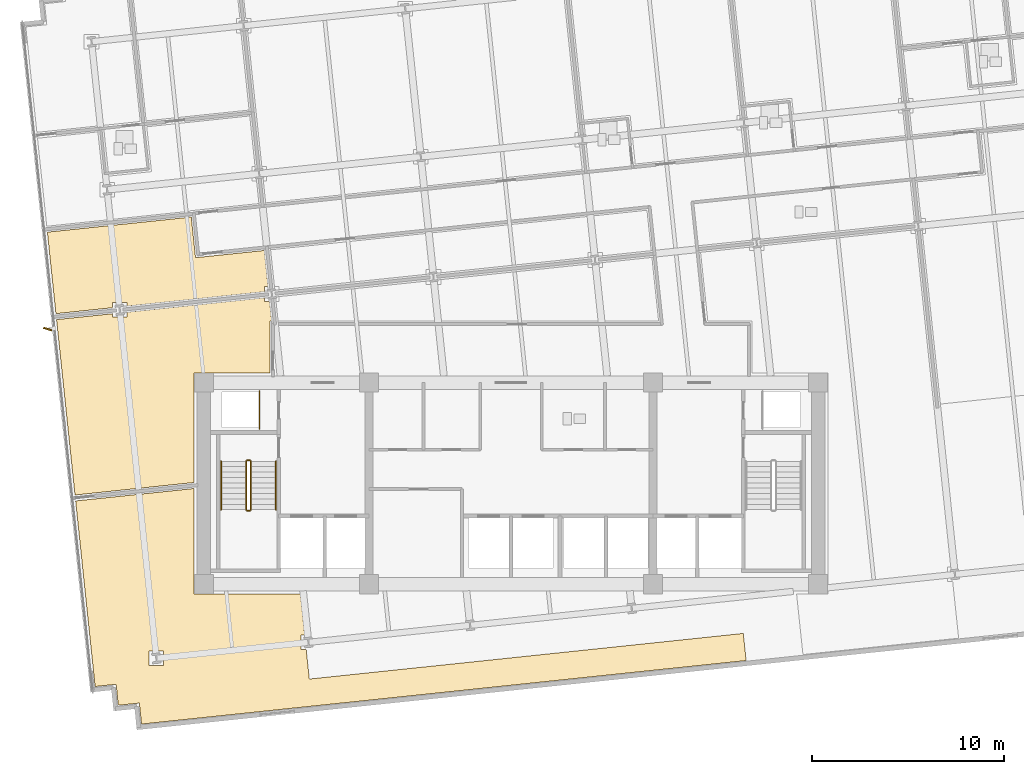
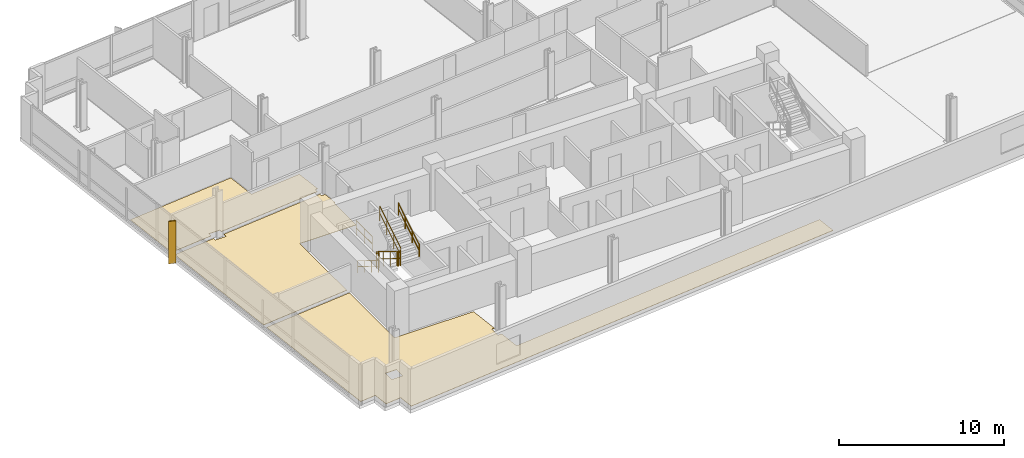
# One storey, part 14 of 18: 7 railings, 3 coverings, 1 shading device.
"""IFC4 building model written with IfcOpenShell, lengths in metres."""

from ifc_helpers import new_model, si_unit, direction, frame, origin, origin_2d, place, context, subcontext, project, spatial, polyline, rectangle, circle, outline, extrude, material, layer, layer_set, type_object, element, save


model = new_model("IFC4")

# Units and contexts
model_context = context("Model", 3, precision=1e-05, world=origin(), true_north=direction((0.0, 1.0)))
body_context = subcontext(model_context, "Body", "Model", "MODEL_VIEW")
ifc_project = project(units=[si_unit("LENGTHUNIT", "METRE"), si_unit("AREAUNIT", "SQUARE_METRE"), si_unit("VOLUMEUNIT", "CUBIC_METRE"), si_unit("PLANEANGLEUNIT", "RADIAN"), si_unit("MASSUNIT", "GRAM", prefix="KILO")], contexts=[model_context])

# Site, building, storey
site_placement = place(None, origin())
site = spatial("IfcSite", under=ifc_project, at=site_placement, CompositionType="ELEMENT")
building_placement = place(site_placement, origin())
building = spatial("IfcBuilding", under=site, at=building_placement, Name="Solmavex Isthmus Hotel", CompositionType="ELEMENT")
storey_placement = place(building_placement, frame((0.0, 0.0, 127.050048828125)))
storey = spatial("IfcBuildingStorey", under=building, at=storey_placement, Name="L34", CompositionType="ELEMENT", Elevation=127.050048828125)

# Coverings
ifc_material_1 = material(Name="Travertine natural stone", Category="masonry")
ifc_layer_1 = layer(ifc_material_1, 0.02490234375)
ifc_layer_set_1 = layer_set([ifc_layer_1], Name="Travertine natural stone")
covering_type = type_object("IfcCoveringType", Name="COV-FLOR-STN", PredefinedType="FLOORING", material=ifc_layer_set_1)
covering_1_placement = place(storey_placement, origin())
element("IfcCovering", 1, at=covering_1_placement, inside=storey, type_object=covering_type, Name="Stone and Timber Floor Finish L34-FL07", PredefinedType="FLOORING", context=body_context, shape_type="SweptSolid", body=[
    extrude(outline(polyline([(-12.8388671875, 2.234619140625), (-12.8388671875, 2.49853515625), (-12.654541015625, 2.49853515625), (-12.852783203125, 4.384765625), (-16.43310546875, 4.008544921875), (-16.65576171875, 6.126953125), (-24.15234375, 5.3388671875), (-23.7060546875, 1.09228515625), (-20.76318359375, 1.401611328125), (-20.76318359375, 1.665771484375), (-20.003173828125, 1.665771484375), (-20.003173828125, 1.4814453125), (-12.8388671875, 2.234619140625)])), origin(), (0.0, 0.0, 1.0), 0.02490234375),
])
covering_2_placement = place(storey_placement, origin())
element("IfcCovering", 2, at=covering_2_placement, inside=storey, type_object=covering_type, Name="Stone and Timber Floor Finish L34-FL10", PredefinedType="FLOORING", context=body_context, shape_type="SweptSolid", body=[
    extrude(outline(polyline([(-20.003173828125, 1.169921875), (-20.003173828125, 0.90576171875), (-20.76318359375, 0.90576171875), (-20.76318359375, 1.08984375), (-23.673583984375, 0.783935546875), (-23.130615234375, -4.382568359375), (-22.713134765625, -8.355712890625), (-16.5048828125, -7.703125), (-16.5048828125, -1.9951171875), (-12.554931640625, -1.9951171875), (-12.554931640625, 0.705078125), (-12.466064453125, 0.705078125), (-12.57470703125, 1.738525390625), (-12.8388671875, 1.738525390625), (-12.8388671875, 1.9228515625), (-20.003173828125, 1.169921875)])), origin(), (0.0, 0.0, 1.0), 0.02490234375),
])
covering_3_placement = place(storey_placement, origin())
element("IfcCovering", 3, at=covering_3_placement, inside=storey, type_object=covering_type, Name="Stone and Timber Floor Finish L34-FL11", PredefinedType="FLOORING", context=body_context, shape_type="SweptSolid", body=[
    extrude(outline(polyline([(-10.6669921875, -16.411376953125), (-10.93115234375, -16.411376953125), (-10.93115234375, -15.6513671875), (-10.746826171875, -15.6513671875), (-10.972412109375, -13.5048828125), (-16.5048828125, -13.5048828125), (-16.5048828125, -8.014892578125), (-22.6806640625, -8.663818359375), (-21.7509765625, -17.51025390625), (-21.66455078125, -18.33056640625), (-20.57080078125, -18.2158203125), (-20.50537109375, -18.837158203125), (-20.455810546875, -19.3095703125), (-19.36181640625, -19.194580078125), (-19.246826171875, -20.28857421875), (-18.42626953125, -20.202392578125), (-10.20361328125, -19.338134765625), (12.249755859375, -16.978271484375), (12.101318359375, -15.56591796875), (-10.506103515625, -17.942138671875), (-10.6669921875, -16.411376953125)]), holes=[polyline([(-18.85546875, -17.244384765625), (-18.85546875, -16.484375), (-18.095458984375, -16.484375), (-18.095458984375, -17.244384765625), (-18.85546875, -17.244384765625)])]), origin(), (0.0, 0.0, 1.0), 0.02490234375),
])

# Railings
ifc_material_2 = material(Name="Clear low-E laminated glass", Category="glass")
ifc_layer_2 = layer(ifc_material_2, 0.080078125)
ifc_layer_set_2 = layer_set([ifc_layer_2], Name="Clear low-E laminated glass")
railing_type_1 = type_object("IfcRailingType", Name="RAIL-ATRIUM-1120", PredefinedType="BALUSTRADE", material=ifc_layer_set_2)
railing_1_placement = place(storey_placement, frame((-13.10009765625, -4.89990234375, 0.0)))
element("IfcRailing", 4, at=railing_1_placement, inside=storey, type_object=railing_type_1, Name="Guardrail Balustrade L34-RSW-01", PredefinedType="BALUSTRADE", context=body_context, shape_type="SweptSolid", body=[
    extrude(circle(Radius=0.02392578125, at=origin_2d()), frame((0.0, 0.0, 1.1259765625), z_axis=(0.0, 1.0, 0.0), x_axis=(-1.0, 0.0, 0.0)), (0.0, 0.0, 1.0), 1.949951171875),
    extrude(circle(Radius=0.02392578125, at=origin_2d()), frame((0.0, 0.0, 0.574951171875), z_axis=(0.0, 1.0, 0.0), x_axis=(-1.0, 0.0, 0.0)), (0.0, 0.0, 1.0), 1.949951171875),
    extrude(circle(Radius=0.02099609375, at=origin_2d()), origin(), (0.0, 0.0, 1.0), 1.101806640625),
    extrude(circle(Radius=0.02099609375, at=origin_2d()), frame((0.0, 0.97509765625, 0.0)), (0.0, 0.0, 1.0), 1.101806640625),
    extrude(circle(Radius=0.02099609375, at=origin_2d()), frame((0.0, 1.949951171875, 0.0)), (0.0, 0.0, 1.0), 1.101806640625),
])
ifc_material_3 = material(Name="Stainless steel 316", Category="steel")
ifc_layer_3 = layer(ifc_material_3, 0.06005859375)
ifc_layer_set_3 = layer_set([ifc_layer_3], Name="Stainless steel 316")
railing_type_2 = type_object("IfcRailingType", Name="RAIL-STAIR-GD", PredefinedType="GUARDRAIL", material=ifc_layer_set_3)
railing_2_placement = place(storey_placement, frame((-13.800048828125, -6.60009765625, 0.17236328125)))
element("IfcRailing", 5, at=railing_2_placement, inside=storey, type_object=railing_type_2, Name="L34 ST-1 stair guard 1", PredefinedType="GUARDRAIL", context=body_context, shape_type="SweptSolid", body=[
    extrude(circle(Radius=0.02392578125, at=origin_2d()), frame((0.0, 0.0, 1.09619140625), z_axis=(0.0, -0.851400495292, 0.524516154772), x_axis=(1.0, 0.0, 0.0)), (0.0, 0.0, 1.0), 2.9599609375),
    extrude(circle(Radius=0.02392578125, at=origin_2d()), frame((0.0, 0.0, 0.56005859375), z_axis=(0.0, -0.851400495292, 0.524516154772), x_axis=(1.0, 0.0, 0.0)), (0.0, 0.0, 1.0), 2.9599609375),
    extrude(circle(Radius=0.02099609375, at=origin_2d()), origin(), (0.0, 0.0, 1.0), 1.072021484375),
    extrude(circle(Radius=0.02099609375, at=origin_2d()), frame((0.0, -0.840087890625, 0.517578125)), (0.0, 0.0, 1.0), 1.072021484375),
    extrude(circle(Radius=0.02099609375, at=origin_2d()), frame((0.0, -1.679931640625, 1.034912109375)), (0.0, 0.0, 1.0), 1.072021484375),
    extrude(circle(Radius=0.02099609375, at=origin_2d()), frame((0.0, -2.52001953125, 1.552490234375)), (0.0, 0.0, 1.0), 1.072021484375),
])
railing_3_placement = place(storey_placement, frame((-13.75, -9.169921875, 1.724853515625)))
element("IfcRailing", 6, at=railing_3_placement, inside=storey, type_object=railing_type_2, Name="L34 ST-1 stair guard 2", PredefinedType="GUARDRAIL", context=body_context, shape_type="SweptSolid", body=[
    extrude(circle(Radius=0.02392578125, at=origin_2d()), frame((0.0, 0.0, 1.09619140625), z_axis=(1.0, 0.0, 0.0), x_axis=(0.0, 1.0, 0.0)), (0.0, 0.0, 1.0), 0.14990234375),
    extrude(circle(Radius=0.02392578125, at=origin_2d()), frame((0.0, 0.0, 0.56005859375), z_axis=(1.0, 0.0, 0.0), x_axis=(0.0, 1.0, 0.0)), (0.0, 0.0, 1.0), 0.14990234375),
    extrude(circle(Radius=0.02099609375, at=origin_2d()), origin(), (0.0, 0.0, 1.0), 1.072021484375),
    extrude(circle(Radius=0.02099609375, at=origin_2d()), frame((0.14990234375, 0.0, 0.0)), (0.0, 0.0, 1.0), 1.072021484375),
])
railing_4_placement = place(storey_placement, frame((-13.550048828125, -9.1201171875, 1.8974609375)))
element("IfcRailing", 7, at=railing_4_placement, inside=storey, type_object=railing_type_2, Name="L34 ST-1 stair guard 3", PredefinedType="GUARDRAIL", context=body_context, shape_type="SweptSolid", body=[
    extrude(circle(Radius=0.02392578125, at=origin_2d()), frame((0.0, 0.0, 1.09619140625), z_axis=(0.0, 0.851400495292, 0.524516154772), x_axis=(-1.0, 0.0, 0.0)), (0.0, 0.0, 1.0), 2.9599609375),
    extrude(circle(Radius=0.02392578125, at=origin_2d()), frame((0.0, 0.0, 0.56005859375), z_axis=(0.0, 0.851400495292, 0.524516154772), x_axis=(-1.0, 0.0, 0.0)), (0.0, 0.0, 1.0), 2.9599609375),
    extrude(circle(Radius=0.02099609375, at=origin_2d()), origin(), (0.0, 0.0, 1.0), 1.072021484375),
    extrude(circle(Radius=0.02099609375, at=origin_2d()), frame((0.0, 0.840087890625, 0.517578125)), (0.0, 0.0, 1.0), 1.072021484375),
    extrude(circle(Radius=0.02099609375, at=origin_2d()), frame((0.0, 1.679931640625, 1.034912109375)), (0.0, 0.0, 1.0), 1.072021484375),
    extrude(circle(Radius=0.02099609375, at=origin_2d()), frame((0.0, 2.52001953125, 1.552490234375)), (0.0, 0.0, 1.0), 1.072021484375),
])
railing_5_placement = place(storey_placement, frame((-13.75, -6.550048828125, 0.0)))
element("IfcRailing", 8, at=railing_5_placement, inside=storey, type_object=railing_type_2, Name="L34 ST-1 stair guard 4", PredefinedType="GUARDRAIL", context=body_context, shape_type="SweptSolid", body=[
    extrude(circle(Radius=0.02392578125, at=origin_2d()), frame((0.0, 0.0, 1.09619140625), z_axis=(1.0, 0.0, 0.0), x_axis=(0.0, 1.0, 0.0)), (0.0, 0.0, 1.0), 0.14990234375),
    extrude(circle(Radius=0.02392578125, at=origin_2d()), frame((0.0, 0.0, 0.56005859375), z_axis=(1.0, 0.0, 0.0), x_axis=(0.0, 1.0, 0.0)), (0.0, 0.0, 1.0), 0.14990234375),
    extrude(circle(Radius=0.02099609375, at=origin_2d()), origin(), (0.0, 0.0, 1.0), 1.072021484375),
    extrude(circle(Radius=0.02099609375, at=origin_2d()), frame((0.14990234375, 0.0, 0.0)), (0.0, 0.0, 1.0), 1.072021484375),
])
ifc_layer_4 = layer(ifc_material_3, 0.050048828125)
ifc_layer_set_4 = layer_set([ifc_layer_4], Name="Stainless steel 316")
railing_type_3 = type_object("IfcRailingType", Name="RAIL-STAIR-HR", PredefinedType="HANDRAIL", material=ifc_layer_set_4)
railing_6_placement = place(storey_placement, frame((-15.10009765625, -6.60009765625, 0.17236328125)))
element("IfcRailing", 9, at=railing_6_placement, inside=storey, type_object=railing_type_3, Name="L34 ST-1 stair handrail 1", PredefinedType="HANDRAIL", context=body_context, shape_type="SweptSolid", body=[
    extrude(circle(Radius=0.02392578125, at=origin_2d()), frame((0.0, 0.0, 0.8759765625), z_axis=(0.0, -0.851400495292, 0.524516154772), x_axis=(1.0, 0.0, 0.0)), (0.0, 0.0, 1.0), 2.9599609375),
    extrude(circle(Radius=0.02392578125, at=origin_2d()), frame((0.0, 0.0, 0.449951171875), z_axis=(0.0, -0.851400495292, 0.524516154772), x_axis=(1.0, 0.0, 0.0)), (0.0, 0.0, 1.0), 2.9599609375),
    extrude(circle(Radius=0.02099609375, at=origin_2d()), origin(), (0.0, 0.0, 1.0), 0.851806640625),
    extrude(circle(Radius=0.02099609375, at=origin_2d()), frame((0.0, -0.840087890625, 0.517578125)), (0.0, 0.0, 1.0), 0.851806640625),
    extrude(circle(Radius=0.02099609375, at=origin_2d()), frame((0.0, -1.679931640625, 1.034912109375)), (0.0, 0.0, 1.0), 0.851806640625),
    extrude(circle(Radius=0.02099609375, at=origin_2d()), frame((0.0, -2.52001953125, 1.552490234375)), (0.0, 0.0, 1.0), 0.851806640625),
])
railing_7_placement = place(storey_placement, frame((-12.25, -9.1201171875, 1.8974609375)))
element("IfcRailing", 10, at=railing_7_placement, inside=storey, type_object=railing_type_3, Name="L34 ST-1 stair handrail 2", PredefinedType="HANDRAIL", context=body_context, shape_type="SweptSolid", body=[
    extrude(circle(Radius=0.02392578125, at=origin_2d()), frame((0.0, 0.0, 0.8759765625), z_axis=(0.0, 0.851400495292, 0.524516154772), x_axis=(-1.0, 0.0, 0.0)), (0.0, 0.0, 1.0), 2.9599609375),
    extrude(circle(Radius=0.02392578125, at=origin_2d()), frame((0.0, 0.0, 0.449951171875), z_axis=(0.0, 0.851400495292, 0.524516154772), x_axis=(-1.0, 0.0, 0.0)), (0.0, 0.0, 1.0), 2.9599609375),
    extrude(circle(Radius=0.02099609375, at=origin_2d()), origin(), (0.0, 0.0, 1.0), 0.851806640625),
    extrude(circle(Radius=0.02099609375, at=origin_2d()), frame((0.0, 0.840087890625, 0.517578125)), (0.0, 0.0, 1.0), 0.851806640625),
    extrude(circle(Radius=0.02099609375, at=origin_2d()), frame((0.0, 1.679931640625, 1.034912109375)), (0.0, 0.0, 1.0), 0.851806640625),
    extrude(circle(Radius=0.02099609375, at=origin_2d()), frame((0.0, 2.52001953125, 1.552490234375)), (0.0, 0.0, 1.0), 0.851806640625),
])

# Shading device
ifc_material_4 = material(Name="Aluminium alloy 6063-T6", Category="aluminium")
shading_device_type = type_object("IfcShadingDeviceType", Name="SHD-FIN-BRONZE", PredefinedType="USERDEFINED", material=ifc_material_4)
shading_device_placement = place(storey_placement, frame((-24.139404296875, 0.28759765625, -0.14013671875), z_axis=(0.0, 0.0, 1.0), x_axis=(-0.951056516295, 0.309016994375, 0.0)))
element("IfcShadingDevice", 11, at=shading_device_placement, inside=storey, type_object=shading_device_type, Name="Anodised Aluminium Solar Fin L34-W1", ObjectType="SOLAR_FIN", PredefinedType="USERDEFINED", context=body_context, shape_type="SweptSolid", body=[
    extrude(rectangle(XDim=0.449951171875, YDim=0.080078125, at=origin_2d()), origin(), (0.0, 0.0, 1.0), 3.139892578125),
])

save(model, "model.ifc")
